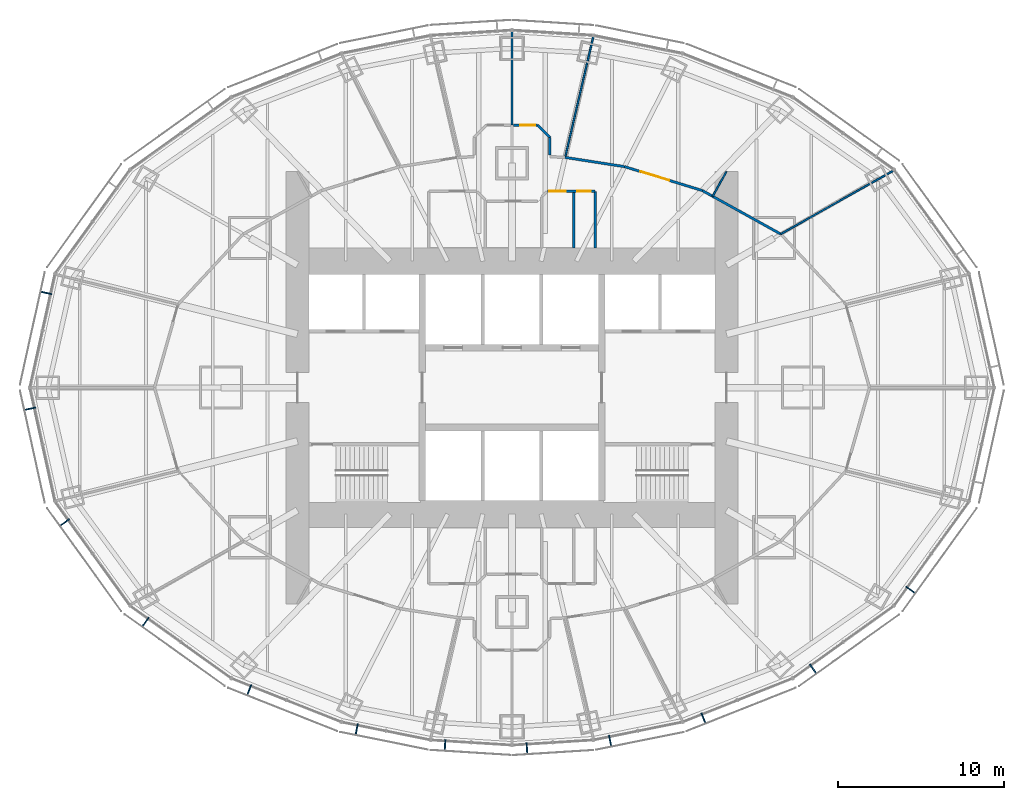
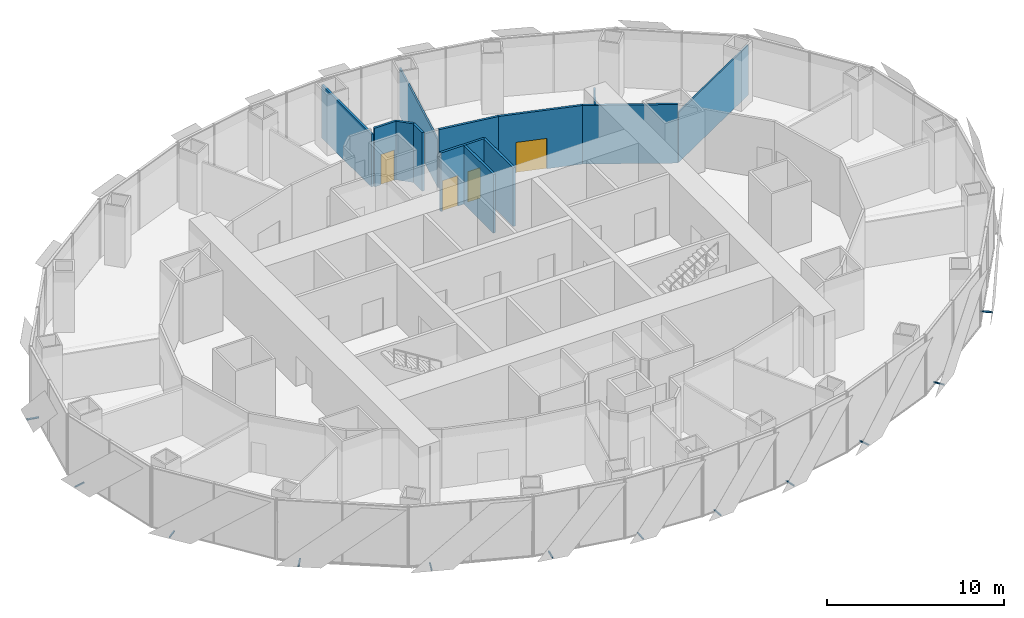
# One storey, part 13 of 17: 13 walls, 12 discrete accessories, 4 doors, 4 openings.
"""IFC4 building model written with IfcOpenShell, lengths in metres."""

from ifc_helpers import new_model, si_unit, direction, frame, frame_2d, origin, origin_2d, place, context, subcontext, project, spatial, rectangle, extrude, material, layer, layer_set, type_object, element, fill, save


model = new_model("IFC4")

# Units and contexts
model_context = context("Model", 3, precision=1e-05, world=origin(), true_north=direction((0.0, 1.0)))
body_context = subcontext(model_context, "Body", "Model", "MODEL_VIEW")
ifc_project = project(units=[si_unit("LENGTHUNIT", "METRE"), si_unit("AREAUNIT", "SQUARE_METRE"), si_unit("VOLUMEUNIT", "CUBIC_METRE"), si_unit("PLANEANGLEUNIT", "RADIAN"), si_unit("MASSUNIT", "GRAM", prefix="KILO")], contexts=[model_context])

# Site, building, storey
site_placement = place(None, origin())
site = spatial("IfcSite", under=ifc_project, at=site_placement, CompositionType="ELEMENT")
building_placement = place(site_placement, origin())
building = spatial("IfcBuilding", under=site, at=building_placement, Name="Lantaw Convention Tower", CompositionType="ELEMENT")
storey_placement = place(building_placement, frame((0.0, 0.0, 159.39990234375)))
storey = spatial("IfcBuildingStorey", under=building, at=storey_placement, Name="L37", CompositionType="ELEMENT", Elevation=159.39990234375)

# Wall
ifc_material_1 = material(Name="Gypsum board on steel studs, fire rated", Category="steel")
ifc_layer_1 = layer(ifc_material_1, 0.14990234375)
ifc_layer_set_1 = layer_set([ifc_layer_1], Name="Corridor wall 150 EI 60")
wall_type_1 = type_object("IfcWallType", Name="Corridor wall 150 EI 60", PredefinedType="PARTITIONING", material=ifc_layer_set_1)
wall_1_placement = place(storey_placement, frame((16.159912109375, 9.234375, 0.0), z_axis=(0.0, 0.0, 1.0), x_axis=(-0.87433873028, 0.485316169865, 0.0)))
element("IfcWall", 1, at=wall_1_placement, inside=storey, type_object=wall_type_1, Name="Corridor wall 150", PredefinedType="PARTITIONING", context=body_context, shape_type="SweptSolid", body=[
    extrude(rectangle(XDim=5.392822265625, YDim=0.14990234375, at=frame_2d((2.6962890625, 0.0))), origin(), (0.0, 0.0, 1.0), 4.050048828125),
])

# Wall, opening, door
wall_2_placement = place(storey_placement, frame((11.44482421875, 11.8515625, 0.0), z_axis=(0.0, 0.0, 1.0), x_axis=(-0.955892284323, 0.293717450573, 0.0)))
wall_2 = element("IfcWall", 2, at=wall_2_placement, inside=storey, type_object=wall_type_1, Name="Corridor wall 150", PredefinedType="PARTITIONING", context=body_context, shape_type="SweptSolid", body=[
    extrude(rectangle(XDim=4.889892578125, YDim=0.14990234375, at=frame_2d((2.44482421875, 0.0))), origin(), (0.0, 0.0, 1.0), 4.050048828125),
])
opening_1_placement = place(wall_2_placement, frame((2.08154296875, 0.0, 0.0)))
opening_1 = element("IfcOpeningElement", 3, at=opening_1_placement, cuts=wall_2, Name="Opening L37.24", PredefinedType="OPENING", context=body_context, shape_type="SweptSolid", body=[
    extrude(rectangle(XDim=1.800048828125, YDim=2.10009765625, at=frame_2d((0.89990234375, 1.050048828125))), frame((0.0, 0.0849609375, 0.0), z_axis=(0.0, -1.0, 0.0), x_axis=(1.0, 0.0, 0.0)), (0.0, 0.0, 1.0), 0.169921875),
])
ifc_material_2 = material(Name="Steel, fire rated", Category="steel")
door_type_1 = type_object("IfcDoorType", Name="Office double door 1800 FD30", OperationType="DOUBLE_DOOR_DOUBLE_SWING", PredefinedType="DOOR", material=ifc_material_2)
door_1_placement = place(opening_1_placement, origin())
door_1 = element("IfcDoor", 4, at=door_1_placement, inside=storey, type_object=door_type_1, Name="Tenant suite door", OperationType="DOUBLE_DOOR_DOUBLE_SWING", OverallHeight=2.10009765625, OverallWidth=1.800048828125, PredefinedType="DOOR", context=body_context, shape_type="SweptSolid", body=[
    extrude(rectangle(XDim=1.800048828125, YDim=2.10009765625, at=frame_2d((0.89990234375, 1.050048828125))), frame((0.0, 0.02490234375, 0.0), z_axis=(0.0, -1.0, 0.0), x_axis=(1.0, 0.0, 0.0)), (0.0, 0.0, 1.0), 0.050048828125),
])
fill(opening_1, door_1)

# Wall
wall_3_placement = place(storey_placement, frame((6.7705078125, 13.287841796875, 0.0), z_axis=(0.0, 0.0, 1.0), x_axis=(-0.98808911792, 0.153882731479, 0.0)))
element("IfcWall", 5, at=wall_3_placement, inside=storey, type_object=wall_type_1, Name="Corridor wall 150", PredefinedType="PARTITIONING", context=body_context, shape_type="SweptSolid", body=[
    extrude(rectangle(XDim=3.6171875, YDim=0.14990234375, at=frame_2d((1.80859375, 0.0))), origin(), (0.0, 0.0, 1.0), 4.050048828125),
])

# Wall, opening, door
wall_4_placement = place(storey_placement, frame((0.103271484375, 15.784912109375, 0.0), z_axis=(0.0, 0.0, 1.0), x_axis=(1.0, 0.0, 0.0)))
wall_4 = element("IfcWall", 6, at=wall_4_placement, inside=storey, type_object=wall_type_1, Name="Corridor wall 150", PredefinedType="PARTITIONING", context=body_context, shape_type="SweptSolid", body=[
    extrude(rectangle(XDim=1.428955078125, YDim=0.14990234375, at=frame_2d((0.71435546875, 0.0))), origin(), (0.0, 0.0, 1.0), 4.050048828125),
])
opening_2_placement = place(wall_4_placement, frame((0.39990234375, 0.0, 0.0)))
opening_2 = element("IfcOpeningElement", 7, at=opening_2_placement, cuts=wall_4, Name="Opening L37.25", PredefinedType="OPENING", context=body_context, shape_type="SweptSolid", body=[
    extrude(rectangle(XDim=0.89990234375, YDim=2.10009765625, at=frame_2d((0.449951171875, 1.050048828125))), frame((0.0, 0.0849609375, 0.0), z_axis=(0.0, -1.0, 0.0), x_axis=(1.0, 0.0, 0.0)), (0.0, 0.0, 1.0), 0.169921875),
])
door_type_2 = type_object("IfcDoorType", Name="Office door 900 FD30", OperationType="SINGLE_SWING_LEFT", PredefinedType="DOOR", material=ifc_material_2)
door_2_placement = place(opening_2_placement, origin())
door_2 = element("IfcDoor", 8, at=door_2_placement, inside=storey, type_object=door_type_2, Name="Pantry door", OperationType="SINGLE_SWING_LEFT", OverallHeight=2.10009765625, OverallWidth=0.89990234375, PredefinedType="DOOR", context=body_context, shape_type="SweptSolid", body=[
    extrude(rectangle(XDim=0.89990234375, YDim=2.10009765625, at=frame_2d((0.449951171875, 1.050048828125))), frame((0.0, 0.02490234375, 0.0), z_axis=(0.0, -1.0, 0.0), x_axis=(1.0, 0.0, 0.0)), (0.0, 0.0, 1.0), 0.050048828125),
])
fill(opening_2, door_2)

# Walls
wall_5_placement = place(storey_placement, frame((1.5322265625, 15.784912109375, 0.0), z_axis=(0.0, 0.0, 1.0), x_axis=(0.707106781187, -0.707106781187, 0.0)))
element("IfcWall", 9, at=wall_5_placement, inside=storey, type_object=wall_type_1, Name="Corridor wall 150", PredefinedType="PARTITIONING", context=body_context, shape_type="SweptSolid", body=[
    extrude(rectangle(XDim=1.064453125, YDim=0.14990234375, at=frame_2d((0.5322265625, 0.0))), origin(), (0.0, 0.0, 1.0), 4.050048828125),
])
wall_6_placement = place(storey_placement, frame((2.284912109375, 15.0322265625, 0.0), z_axis=(0.0, 0.0, 1.0), x_axis=(0.0, -1.0, 0.0)))
element("IfcWall", 10, at=wall_6_placement, inside=storey, type_object=wall_type_1, Name="Corridor wall 150", PredefinedType="PARTITIONING", context=body_context, shape_type="SweptSolid", body=[
    extrude(rectangle(XDim=1.042236328125, YDim=0.14990234375, at=frame_2d((0.52099609375, 0.0))), origin(), (0.0, 0.0, 1.0), 4.050048828125),
])
ifc_material_3 = material(Name="Gypsum board on steel studs, acoustic", Category="steel")
ifc_layer_2 = layer(ifc_material_3, 0.10009765625)
ifc_layer_set_2 = layer_set([ifc_layer_2], Name="Office partition 100")
wall_type_2 = type_object("IfcWallType", Name="Office partition 100", PredefinedType="PARTITIONING", material=ifc_layer_set_2)
wall_7_placement = place(storey_placement, frame((22.94921875, 13.058837890625, 0.0), z_axis=(0.0, 0.0, 1.0), x_axis=(-0.871274989434, -0.490795163777, 0.0)))
element("IfcWall", 11, at=wall_7_placement, inside=storey, type_object=wall_type_2, Name="Office partition 100", PredefinedType="PARTITIONING", context=body_context, shape_type="SweptSolid", body=[
    extrude(rectangle(XDim=7.79248046875, YDim=0.10009765625, at=frame_2d((3.896240234375, 0.0))), origin(), (0.0, 0.0, 1.0), 3.45068359375),
])
wall_8_placement = place(storey_placement, frame((4.89697265625, 21.134765625, 0.0), z_axis=(0.0, 0.0, 1.0), x_axis=(-0.227181159974, -0.973852514785, 0.0)))
element("IfcWall", 12, at=wall_8_placement, inside=storey, type_object=wall_type_2, Name="Office partition 100", PredefinedType="PARTITIONING", context=body_context, shape_type="SweptSolid", body=[
    extrude(rectangle(XDim=7.486083984375, YDim=0.10009765625, at=frame_2d((3.7431640625, 0.0))), origin(), (0.0, 0.0, 1.0), 3.293212890625),
])
wall_9_placement = place(storey_placement, frame((12.89990234375, 13.0, 0.0), z_axis=(0.0, 0.0, 1.0), x_axis=(-0.485339901234, -0.87432555737, 0.0)))
element("IfcWall", 13, at=wall_9_placement, inside=storey, type_object=wall_type_2, Name="Office partition 100", PredefinedType="PARTITIONING", context=body_context, shape_type="SweptSolid", body=[
    extrude(rectangle(XDim=1.710205078125, YDim=0.10009765625, at=frame_2d((0.85498046875, 0.0))), origin(), (0.0, 0.0, 1.0), 4.050048828125),
])
ifc_layer_3 = layer(ifc_material_1, 0.14990234375)
ifc_layer_set_3 = layer_set([ifc_layer_3], Name="Tenant separation wall 150 EI 60")
wall_type_3 = type_object("IfcWallType", Name="Tenant separation wall 150 EI 60", PredefinedType="PARTITIONING", material=ifc_layer_set_3)
wall_10_placement = place(storey_placement, frame((0.0, 21.44482421875, 0.0), z_axis=(0.0, 0.0, 1.0), x_axis=(0.0, -1.0, 0.0)))
element("IfcWall", 14, at=wall_10_placement, inside=storey, type_object=wall_type_3, Name="Tenant separation wall 150", PredefinedType="PARTITIONING", context=body_context, shape_type="SweptSolid", body=[
    extrude(rectangle(XDim=5.64990234375, YDim=0.14990234375, at=frame_2d((2.824951171875, 0.0))), origin(), (0.0, 0.0, 1.0), 3.646240234375),
])
ifc_material_4 = material(Name="Concrete blockwork", Category="masonry")
ifc_layer_4 = layer(ifc_material_4, 0.14990234375)
ifc_layer_set_4 = layer_set([ifc_layer_4], Name="WC wall 150")
wall_type_4 = type_object("IfcWallType", Name="WC wall 150", PredefinedType="SOLIDWALL", material=ifc_layer_set_4)
for number, where, z_axis, x_axis, name in (
    (15, (5.0, 8.39990234375, 0.0), (0.0, 0.0, 1.0), (0.0, 1.0, 0.0), "WC wall 150"),
    (16, (3.699951171875, 8.39990234375, 0.0), (0.0, 0.0, 1.0), (0.0, 1.0, 0.0), "WC wall 150"),
):
    element("IfcWall", number, at=place(storey_placement, frame(where, z_axis=z_axis, x_axis=x_axis)), inside=storey, type_object=wall_type_4, Name=name, PredefinedType="SOLIDWALL", context=body_context, shape_type="SweptSolid", body=[
        extrude(rectangle(XDim=3.400146484375, YDim=0.14990234375, at=frame_2d((1.7001953125, 0.0))), origin(), (0.0, 0.0, 1.0), 4.050048828125),
    ])

# Wall, openings, doors
wall_11_placement = place(storey_placement, frame((2.13134765625, 11.800048828125, 0.0), z_axis=(0.0, 0.0, 1.0), x_axis=(1.0, 0.0, 0.0)))
wall_11 = element("IfcWall", 17, at=wall_11_placement, inside=storey, type_object=wall_type_4, Name="WC wall 150", PredefinedType="SOLIDWALL", context=body_context, shape_type="SweptSolid", body=[
    extrude(rectangle(XDim=2.86865234375, YDim=0.14990234375, at=frame_2d((1.434326171875, 0.0))), origin(), (0.0, 0.0, 1.0), 4.050048828125),
])
opening_3_placement = place(wall_11_placement, frame((0.10009765625, 0.0, 0.0)))
opening_3 = element("IfcOpeningElement", 18, at=opening_3_placement, cuts=wall_11, Name="Opening L37.16", PredefinedType="OPENING", context=body_context, shape_type="SweptSolid", body=[
    extrude(rectangle(XDim=1.0, YDim=2.10009765625, at=frame_2d((0.5, 1.050048828125))), frame((0.0, 0.0849609375, 0.0), z_axis=(0.0, -1.0, 0.0), x_axis=(1.0, 0.0, 0.0)), (0.0, 0.0, 1.0), 0.169921875),
])
opening_4_placement = place(wall_11_placement, frame((1.800048828125, 0.0, 0.0)))
opening_4 = element("IfcOpeningElement", 19, at=opening_4_placement, cuts=wall_11, Name="Opening L37.17", PredefinedType="OPENING", context=body_context, shape_type="SweptSolid", body=[
    extrude(rectangle(XDim=0.800048828125, YDim=2.10009765625, at=frame_2d((0.39990234375, 1.050048828125))), frame((0.0, 0.0849609375, 0.0), z_axis=(0.0, -1.0, 0.0), x_axis=(1.0, 0.0, 0.0)), (0.0, 0.0, 1.0), 0.169921875),
])
ifc_material_5 = material(Name="Timber", Category="wood")
door_type_3 = type_object("IfcDoorType", Name="Accessible WC door 1000", OperationType="SINGLE_SWING_LEFT", PredefinedType="DOOR", material=ifc_material_5)
door_3_placement = place(opening_3_placement, origin())
door_3 = element("IfcDoor", 20, at=door_3_placement, inside=storey, type_object=door_type_3, Name="Accessible WC door", OperationType="SINGLE_SWING_LEFT", OverallHeight=2.10009765625, OverallWidth=1.0, PredefinedType="DOOR", context=body_context, shape_type="SweptSolid", body=[
    extrude(rectangle(XDim=1.0, YDim=2.10009765625, at=frame_2d((0.5, 1.050048828125))), frame((0.0, 0.02490234375, 0.0), z_axis=(0.0, -1.0, 0.0), x_axis=(1.0, 0.0, 0.0)), (0.0, 0.0, 1.0), 0.050048828125),
])
fill(opening_3, door_3)
door_type_4 = type_object("IfcDoorType", Name="WC door 800", OperationType="SINGLE_SWING_LEFT", PredefinedType="DOOR", material=ifc_material_5)
door_4_placement = place(opening_4_placement, origin())
door_4 = element("IfcDoor", 21, at=door_4_placement, inside=storey, type_object=door_type_4, Name="Cleaner's store door", OperationType="SINGLE_SWING_LEFT", OverallHeight=2.10009765625, OverallWidth=0.800048828125, PredefinedType="DOOR", context=body_context, shape_type="SweptSolid", body=[
    extrude(rectangle(XDim=0.800048828125, YDim=2.10009765625, at=frame_2d((0.39990234375, 1.050048828125))), frame((0.0, 0.02490234375, 0.0), z_axis=(0.0, -1.0, 0.0), x_axis=(1.0, 0.0, 0.0)), (0.0, 0.0, 1.0), 0.050048828125),
])
fill(opening_4, door_4)

# Discrete accessories
for number, where, z_axis, x_axis, name in (
    (22, (-28.008056640625, 5.6953125, -0.114990234375), (0.0, 0.0, 1.0), (-0.215546166174, -0.9764936509, 0.0), "Screen bracket"),
    (23, (-28.98486328125, -1.269775390625, -0.114990234375), (0.0, 0.0, 1.0), (0.215546166174, -0.9764936509, 0.0), "Screen bracket"),
    (24, (-26.900146484375, -8.111572265625, -0.114990234375), (0.0, 0.0, 1.0), (0.584512597221, -0.811384633629, 0.0), "Screen bracket"),
    (25, (-22.044189453125, -14.10546875, -0.114990234375), (0.0, 0.0, 1.0), (0.813208325995, -0.581972695693, 0.0), "Screen bracket"),
    (26, (-15.802978515625, -18.18798828125, -0.114990234375), (0.0, 0.0, 1.0), (0.929547687544, -0.368701907483, 0.0), "Screen bracket"),
    (27, (-9.339599609375, -20.56005859375, -0.114990234375), (0.0, 0.0, 1.0), (0.980301514912, -0.197506809659, 0.0), "Screen bracket"),
    (28, (-4.027099609375, -21.505859375, -0.114990234375), (0.0, 0.0, 1.0), (0.998022035978, -0.062865059466, 0.0), "Screen bracket"),
    (29, (0.89794921875, -21.702880859375, -0.114990234375), (0.0, 0.0, 1.0), (0.998022035978, 0.062865059466, 0.0), "Screen bracket"),
    (30, (5.903076171875, -21.25244140625, -0.114990234375), (0.0, 0.0, 1.0), (0.980301514912, 0.197506809659, 0.0), "Screen bracket"),
    (31, (11.517822265625, -19.887939453125, -0.114990234375), (0.0, 0.0, 1.0), (0.929547687544, 0.368701907483, 0.0), "Screen bracket"),
    (32, (18.10791015625, -16.922607421875, -0.114990234375), (0.0, 0.0, 1.0), (0.813208325995, 0.581972695693, 0.0), "Screen bracket"),
    (33, (23.9765625, -12.169677734375, -0.114990234375), (0.0, 0.0, 1.0), (0.584512597221, 0.811384633629, 0.0), "Screen bracket"),
):
    element("IfcDiscreteAccessory", number, at=place(storey_placement, frame(where, z_axis=z_axis, x_axis=x_axis)), inside=storey, Name=name, PredefinedType="BRACKET", context=body_context, shape_type="SweptSolid", body=[
        extrude(rectangle(XDim=0.080078125, YDim=0.68798828125, at=origin_2d()), origin(), (0.0, 0.0, 1.0), 0.080078125),
    ])

save(model, "model.ifc")
